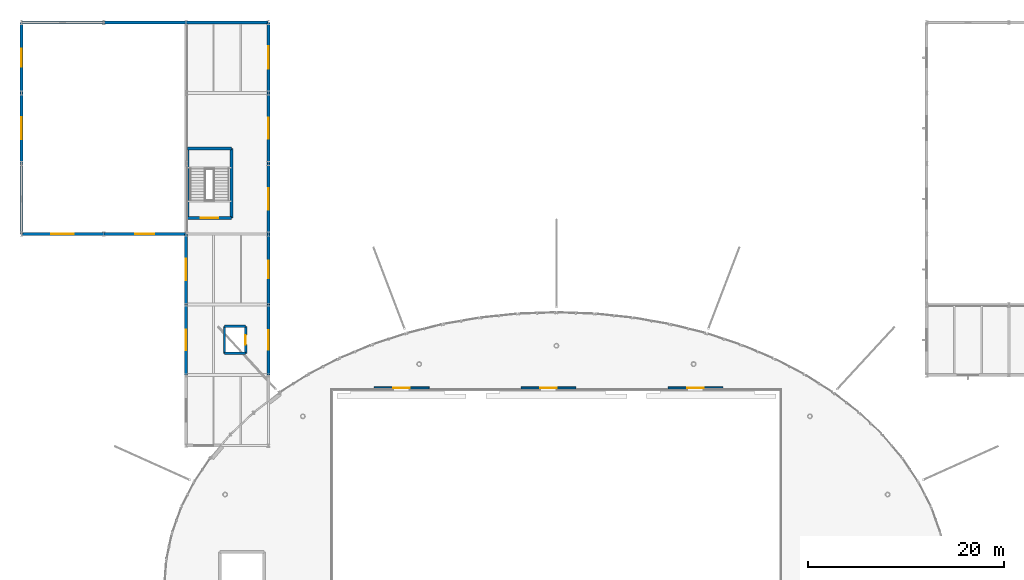
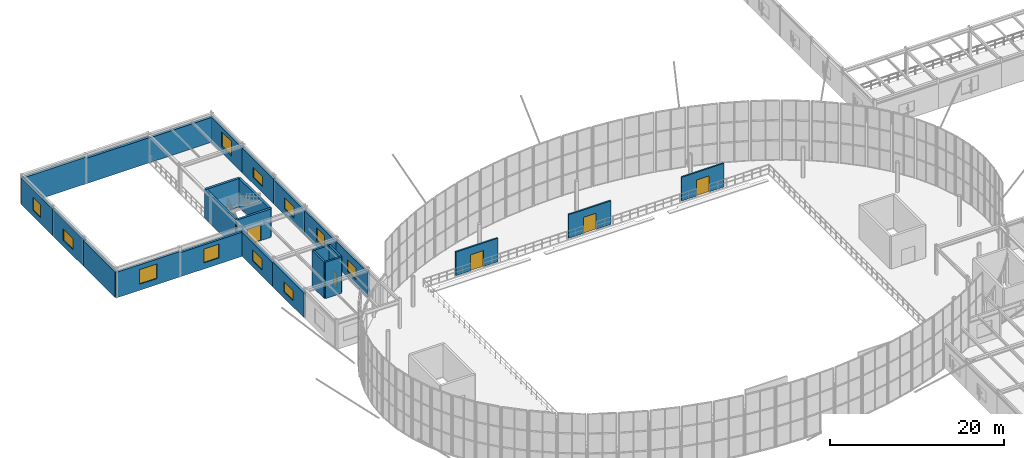
# One storey, part 65 of 109: 26 walls, 11 windows, 5 doors, 16 openings.
"""IFC4 building model written with IfcOpenShell, lengths in metres."""

from ifc_helpers import new_model, si_unit, derived_unit, direction, frame, frame_2d, origin, place, context, subcontext, project, spatial, rectangle, extrude, material, layer, layer_set, type_object, element, fill, save


model = new_model("IFC4")

# Units and contexts
model_context = context("Model", 3, precision=1e-05, world=origin(), true_north=direction((0.0, 1.0)))
body_context = subcontext(model_context, "Body", "Model", "MODEL_VIEW")
ifc_project = project(units=[si_unit("LENGTHUNIT", "METRE"), si_unit("AREAUNIT", "SQUARE_METRE"), si_unit("VOLUMEUNIT", "CUBIC_METRE"), si_unit("PLANEANGLEUNIT", "RADIAN"), si_unit("MASSUNIT", "GRAM", prefix="KILO"), derived_unit("THERMALTRANSMITTANCEUNIT", [(si_unit("MASSUNIT", "GRAM", prefix="KILO"), 1), (si_unit("TIMEUNIT", "SECOND"), -3), (si_unit("THERMODYNAMICTEMPERATUREUNIT", "KELVIN"), -1)])], contexts=[model_context])

# Site, building, storey
site_placement = place(None, origin())
site = spatial("IfcSite", under=ifc_project, at=site_placement, CompositionType="ELEMENT")
building_placement = place(site_placement, origin())
building = spatial("IfcBuilding", under=site, at=building_placement, Name="Kharveza Railside Sports Centre", CompositionType="ELEMENT")
storey_placement = place(building_placement, frame((0.0, 0.0, 4.5)))
storey = spatial("IfcBuildingStorey", under=building, at=storey_placement, Name="L01", CompositionType="ELEMENT", Elevation=4.5)

# Walls
ifc_material_1 = material(Name="Acoustic mineral-wool metal cladding panel")
ifc_layer_1 = layer(ifc_material_1, 0.340087890625, Name="Acoustic mineral-wool metal cladding panel")
ifc_layer_set_1 = layer_set([ifc_layer_1], Name="Acoustic mineral-wool metal cladding panel")
wall_type_1 = type_object("IfcWallType", Name="WL-AC340", PredefinedType="STANDARD", material=ifc_layer_set_1)
wall_1_placement = place(storey_placement, frame((25.199951171875, 108.0, 0.0), z_axis=(0.0, 0.0, 1.0), x_axis=(-1.0, 0.0, 0.0)))
element("IfcWall", 1, at=wall_1_placement, inside=storey, type_object=wall_type_1, Name="WL-EXT-L01-153", PredefinedType="STANDARD", context=body_context, shape_type="SweptSolid", body=[
    extrude(rectangle(XDim=8.39990234375, YDim=0.340087890625, at=frame_2d((4.199951171875, 0.0))), origin(), (0.0, 0.0, 1.0), 3.485107421875),
])
wall_2_placement = place(storey_placement, frame((16.800048828125, 108.0, 0.0), z_axis=(0.0, 0.0, 1.0), x_axis=(-1.0, 0.0, 0.0)))
element("IfcWall", 2, at=wall_2_placement, inside=storey, type_object=wall_type_1, Name="WL-EXT-L01-154", PredefinedType="STANDARD", context=body_context, shape_type="SweptSolid", body=[
    extrude(rectangle(XDim=8.400146484375, YDim=0.340087890625, at=frame_2d((4.2001953125, 0.0))), origin(), (0.0, 0.0, 1.0), 3.544921875),
])
wall_3_placement = place(storey_placement, frame((8.39990234375, 108.0, 0.0), z_axis=(0.0, 0.0, 1.0), x_axis=(-1.0, 0.0, 0.0)))
element("IfcWall", 3, at=wall_3_placement, inside=storey, type_object=wall_type_1, Name="WL-EXT-L01-155", PredefinedType="STANDARD", context=body_context, shape_type="SweptSolid", body=[
    extrude(rectangle(XDim=8.39990234375, YDim=0.340087890625, at=frame_2d((4.199951171875, 0.0))), origin(), (0.0, 0.0, 1.0), 3.7451171875),
])
ifc_material_2 = material(Name="Concrete C35/45", Category="concrete")
ifc_layer_2 = layer(ifc_material_2, 0.25, Name="Concrete C35/45")
ifc_layer_set_2 = layer_set([ifc_layer_2], Name="Concrete C35/45")
wall_type_2 = type_object("IfcWallType", Name="WL-CR250", PredefinedType="SHEAR", material=ifc_layer_set_2)
wall_4_placement = place(storey_placement, frame((20.72509765625, 74.22509765625, 0.0), z_axis=(0.0, 0.0, 1.0), x_axis=(1.0, 0.0, 0.0)))
element("IfcWall", 4, at=wall_4_placement, inside=storey, type_object=wall_type_2, Name="WL-LFSH-LF4-L01-S", PredefinedType="SHEAR", context=body_context, shape_type="SweptSolid", body=[
    extrude(rectangle(XDim=2.14990234375, YDim=0.25, at=frame_2d((1.074951171875, 0.0))), origin(), (0.0, 0.0, 1.0), 5.10009765625),
])

# Wall, opening, door
wall_5_placement = place(storey_placement, frame((22.875, 74.22509765625, 0.0), z_axis=(0.0, 0.0, 1.0), x_axis=(0.0, 1.0, 0.0)))
wall_5 = element("IfcWall", 5, at=wall_5_placement, inside=storey, type_object=wall_type_2, Name="WL-LFSH-LF4-L01-E", PredefinedType="SHEAR", context=body_context, shape_type="SweptSolid", body=[
    extrude(rectangle(XDim=2.75, YDim=0.25, at=frame_2d((1.375, 0.0))), origin(), (0.0, 0.0, 1.0), 5.10009765625),
])
opening_1_placement = place(wall_5_placement, frame((0.89990234375, 0.0, 0.0)))
opening_1 = element("IfcOpeningElement", 6, at=opening_1_placement, cuts=wall_5, Name="Opening D12", PredefinedType="OPENING", context=body_context, shape_type="SweptSolid", body=[
    extrude(rectangle(XDim=0.949951171875, YDim=2.10009765625, at=frame_2d((0.47509765625, 1.050048828125))), frame((0.0, 0.14990234375, 0.0), z_axis=(0.0, -1.0, 0.0), x_axis=(1.0, 0.0, 0.0)), (0.0, 0.0, 1.0), 0.2998046875),
])
ifc_material_3 = material(Name="Brushed stainless steel landing door", Category="steel")
door_type_1 = type_object("IfcDoorType", Name="DR-LF02", OperationType="NOTDEFINED", PredefinedType="DOOR", material=ifc_material_3)
door_1_placement = place(opening_1_placement, origin())
door_1 = element("IfcDoor", 7, at=door_1_placement, inside=storey, type_object=door_type_1, Name="DR-LD-LF4-L01", OperationType="SLIDING_TO_LEFT", OverallHeight=2.10009765625, OverallWidth=0.949951171875, PredefinedType="DOOR", context=body_context, shape_type="SweptSolid", body=[
    extrude(rectangle(XDim=0.949951171875, YDim=2.10009765625, at=frame_2d((0.47509765625, 1.050048828125))), frame((0.0, 0.02490234375, 0.0), z_axis=(0.0, -1.0, 0.0), x_axis=(1.0, 0.0, 0.0)), (0.0, 0.0, 1.0), 0.050048828125),
])
fill(opening_1, door_1)

# Walls
wall_6_placement = place(storey_placement, frame((22.875, 76.97509765625, 0.0), z_axis=(0.0, 0.0, 1.0), x_axis=(-1.0, 0.0, 0.0)))
element("IfcWall", 8, at=wall_6_placement, inside=storey, type_object=wall_type_2, Name="WL-LFSH-LF4-L01-N", PredefinedType="SHEAR", context=body_context, shape_type="SweptSolid", body=[
    extrude(rectangle(XDim=2.14990234375, YDim=0.25, at=frame_2d((1.074951171875, 0.0))), origin(), (0.0, 0.0, 1.0), 5.10009765625),
])
wall_7_placement = place(storey_placement, frame((20.72509765625, 76.97509765625, 0.0), z_axis=(0.0, 0.0, 1.0), x_axis=(0.0, -1.0, 0.0)))
element("IfcWall", 9, at=wall_7_placement, inside=storey, type_object=wall_type_2, Name="WL-LFSH-LF4-L01-W", PredefinedType="SHEAR", context=body_context, shape_type="SweptSolid", body=[
    extrude(rectangle(XDim=2.75, YDim=0.25, at=frame_2d((1.375, 0.0))), origin(), (0.0, 0.0, 1.0), 5.10009765625),
])

# Wall, opening, door
ifc_layer_3 = layer(ifc_material_2, 0.300048828125, Name="Concrete C35/45")
ifc_layer_set_3 = layer_set([ifc_layer_3], Name="Concrete C35/45")
wall_type_3 = type_object("IfcWallType", Name="WL-CR300", PredefinedType="SHEAR", material=ifc_layer_set_3)
wall_8_placement = place(storey_placement, frame((16.949951171875, 88.050048828125, 0.0), z_axis=(0.0, 0.0, 1.0), x_axis=(1.0, 0.0, 0.0)))
wall_8 = element("IfcWall", 10, at=wall_8_placement, inside=storey, type_object=wall_type_3, Name="WL-CORE-ST6-L01-S", PredefinedType="SHEAR", context=body_context, shape_type="SweptSolid", body=[
    extrude(rectangle(XDim=4.5, YDim=0.300048828125, at=frame_2d((2.25, 0.0))), origin(), (0.0, 0.0, 1.0), 4.0),
])
opening_2_placement = place(wall_8_placement, frame((1.35009765625, 0.0, 0.0)))
opening_2 = element("IfcOpeningElement", 11, at=opening_2_placement, cuts=wall_8, Name="Opening D08", PredefinedType="OPENING", context=body_context, shape_type="SweptSolid", body=[
    extrude(rectangle(XDim=1.800048828125, YDim=2.199951171875, at=frame_2d((0.89990234375, 1.10009765625))), frame((0.0, 0.1748046875, 0.0), z_axis=(0.0, -1.0, 0.0), x_axis=(1.0, 0.0, 0.0)), (0.0, 0.0, 1.0), 0.349853515625),
])
ifc_material_4 = material(Name="Fire-rated hardwood door leaf", Category="wood")
door_type_2 = type_object("IfcDoorType", Name="DR-ST01", OperationType="NOTDEFINED", PredefinedType="DOOR", material=ifc_material_4)
door_2_placement = place(opening_2_placement, frame((1.800048828125, 0.0, 0.0), z_axis=(0.0, 0.0, 1.0), x_axis=(-1.0, 0.0, 0.0)))
door_2 = element("IfcDoor", 12, at=door_2_placement, inside=storey, type_object=door_type_2, Name="DR-ST-ST6-L01", OperationType="DOUBLE_DOOR_SINGLE_SWING", OverallHeight=2.199951171875, OverallWidth=1.800048828125, PredefinedType="DOOR", context=body_context, shape_type="SweptSolid", body=[
    extrude(rectangle(XDim=1.800048828125, YDim=2.199951171875, at=frame_2d((0.89990234375, 1.10009765625))), frame((0.0, 0.02490234375, 0.0), z_axis=(0.0, -1.0, 0.0), x_axis=(1.0, 0.0, 0.0)), (0.0, 0.0, 1.0), 0.050048828125),
])
fill(opening_2, door_2)

# Walls
wall_9_placement = place(storey_placement, frame((21.449951171875, 88.050048828125, 0.0), z_axis=(0.0, 0.0, 1.0), x_axis=(0.0, 1.0, 0.0)))
element("IfcWall", 13, at=wall_9_placement, inside=storey, type_object=wall_type_3, Name="WL-CORE-ST6-L01-E", PredefinedType="SHEAR", context=body_context, shape_type="SweptSolid", body=[
    extrude(rectangle(XDim=7.099853515625, YDim=0.300048828125, at=frame_2d((3.5498046875, 0.0))), origin(), (0.0, 0.0, 1.0), 4.0),
])
wall_10_placement = place(storey_placement, frame((21.449951171875, 95.14990234375, 0.0), z_axis=(0.0, 0.0, 1.0), x_axis=(-1.0, 0.0, 0.0)))
element("IfcWall", 14, at=wall_10_placement, inside=storey, type_object=wall_type_3, Name="WL-CORE-ST6-L01-N", PredefinedType="SHEAR", context=body_context, shape_type="SweptSolid", body=[
    extrude(rectangle(XDim=4.5, YDim=0.300048828125, at=frame_2d((2.25, 0.0))), origin(), (0.0, 0.0, 1.0), 4.0),
])
wall_11_placement = place(storey_placement, frame((16.949951171875, 95.14990234375, 0.0), z_axis=(0.0, 0.0, 1.0), x_axis=(0.0, -1.0, 0.0)))
element("IfcWall", 15, at=wall_11_placement, inside=storey, type_object=wall_type_3, Name="WL-CORE-ST6-L01-W", PredefinedType="SHEAR", context=body_context, shape_type="SweptSolid", body=[
    extrude(rectangle(XDim=7.099853515625, YDim=0.300048828125, at=frame_2d((3.5498046875, 0.0))), origin(), (0.0, 0.0, 1.0), 4.0),
])

# Wall, opening, window
ifc_layer_4 = layer(ifc_material_1, 0.2900390625, Name="Acoustic mineral-wool metal cladding panel")
ifc_layer_set_4 = layer_set([ifc_layer_4], Name="Acoustic mineral-wool metal cladding panel")
wall_type_4 = type_object("IfcWallType", Name="WL-EX290", PredefinedType="STANDARD", material=ifc_layer_set_4)
wall_12_placement = place(storey_placement, frame((16.800048828125, 86.39990234375, 0.0), z_axis=(0.0, 0.0, 1.0), x_axis=(0.0, -1.0, 0.0)))
wall_12 = element("IfcWall", 16, at=wall_12_placement, inside=storey, type_object=wall_type_4, Name="WL-EXT-L01-143", PredefinedType="STANDARD", context=body_context, shape_type="SweptSolid", body=[
    extrude(rectangle(XDim=7.199951171875, YDim=0.2900390625, at=frame_2d((3.60009765625, 0.0))), origin(), (0.0, 0.0, 1.0), 3.385009765625),
])
opening_3_placement = place(wall_12_placement, frame((2.5, 0.0, 0.85009765625)))
opening_3 = element("IfcOpeningElement", 17, at=opening_3_placement, cuts=wall_12, Name="Opening WN22", PredefinedType="OPENING", context=body_context, shape_type="SweptSolid", body=[
    extrude(rectangle(XDim=2.199951171875, YDim=1.550048828125, at=frame_2d((1.10009765625, 0.77490234375))), frame((0.0, 0.169921875, 0.0), z_axis=(0.0, -1.0, 0.0), x_axis=(1.0, 0.0, 0.0)), (0.0, 0.0, 1.0), 0.33984375),
])
ifc_material_5 = material(Name="Low-E solar-control laminated glass", Category="glass")
window_type_1 = type_object("IfcWindowType", Name="WN-Z06", PartitioningType="SINGLE_PANEL", PredefinedType="WINDOW", material=ifc_material_5)
window_1_placement = place(opening_3_placement, origin())
window_1 = element("IfcWindow", 18, at=window_1_placement, inside=storey, type_object=window_type_1, Name="WN-EXT-L01-075", OverallHeight=1.550048828125, OverallWidth=2.199951171875, PartitioningType="SINGLE_PANEL", PredefinedType="WINDOW", context=body_context, shape_type="SweptSolid", body=[
    extrude(rectangle(XDim=2.199951171875, YDim=1.550048828125, at=frame_2d((1.10009765625, 0.77490234375))), frame((0.0, 0.030029296875, 0.0), z_axis=(0.0, -1.0, 0.0), x_axis=(1.0, 0.0, 0.0)), (0.0, 0.0, 1.0), 0.06005859375),
])
fill(opening_3, window_1)

wall_13_placement = place(storey_placement, frame((16.800048828125, 79.199951171875, 0.0), z_axis=(0.0, 0.0, 1.0), x_axis=(0.0, -1.0, 0.0)))
wall_13 = element("IfcWall", 19, at=wall_13_placement, inside=storey, type_object=wall_type_4, Name="WL-EXT-L01-144", PredefinedType="STANDARD", context=body_context, shape_type="SweptSolid", body=[
    extrude(rectangle(XDim=7.199951171875, YDim=0.2900390625, at=frame_2d((3.60009765625, 0.0))), origin(), (0.0, 0.0, 1.0), 3.485107421875),
])
opening_4_placement = place(wall_13_placement, frame((2.550048828125, 0.0, 0.85009765625)))
opening_4 = element("IfcOpeningElement", 20, at=opening_4_placement, cuts=wall_13, Name="Opening WN23", PredefinedType="OPENING", context=body_context, shape_type="SweptSolid", body=[
    extrude(rectangle(XDim=2.10009765625, YDim=1.449951171875, at=frame_2d((1.050048828125, 0.72509765625))), frame((0.0, 0.169921875, 0.0), z_axis=(0.0, -1.0, 0.0), x_axis=(1.0, 0.0, 0.0)), (0.0, 0.0, 1.0), 0.33984375),
])
window_type_2 = type_object("IfcWindowType", Name="WN-Z07", PartitioningType="SINGLE_PANEL", PredefinedType="WINDOW", material=ifc_material_5)
window_2_placement = place(opening_4_placement, origin())
window_2 = element("IfcWindow", 21, at=window_2_placement, inside=storey, type_object=window_type_2, Name="WN-EXT-L01-076", OverallHeight=1.449951171875, OverallWidth=2.10009765625, PartitioningType="SINGLE_PANEL", PredefinedType="WINDOW", context=body_context, shape_type="SweptSolid", body=[
    extrude(rectangle(XDim=2.10009765625, YDim=1.449951171875, at=frame_2d((1.050048828125, 0.72509765625))), frame((0.0, 0.030029296875, 0.0), z_axis=(0.0, -1.0, 0.0), x_axis=(1.0, 0.0, 0.0)), (0.0, 0.0, 1.0), 0.06005859375),
])
fill(opening_4, window_2)

wall_14_placement = place(storey_placement, frame((25.199951171875, 72.0, 0.0), z_axis=(0.0, 0.0, 1.0), x_axis=(0.0, 1.0, 0.0)))
wall_14 = element("IfcWall", 22, at=wall_14_placement, inside=storey, type_object=wall_type_4, Name="WL-EXT-L01-148", PredefinedType="STANDARD", context=body_context, shape_type="SweptSolid", body=[
    extrude(rectangle(XDim=7.199951171875, YDim=0.2900390625, at=frame_2d((3.60009765625, 0.0))), origin(), (0.0, 0.0, 1.0), 3.485107421875),
])
opening_5_placement = place(wall_14_placement, frame((2.60009765625, 0.0, 0.85009765625)))
opening_5 = element("IfcOpeningElement", 23, at=opening_5_placement, cuts=wall_14, Name="Opening WN15", PredefinedType="OPENING", context=body_context, shape_type="SweptSolid", body=[
    extrude(rectangle(XDim=2.0, YDim=1.60009765625, at=frame_2d((1.0, 0.800048828125))), frame((0.0, 0.169921875, 0.0), z_axis=(0.0, -1.0, 0.0), x_axis=(1.0, 0.0, 0.0)), (0.0, 0.0, 1.0), 0.33984375),
])
window_type_3 = type_object("IfcWindowType", Name="WN-F15", PartitioningType="SINGLE_PANEL", PredefinedType="WINDOW", material=ifc_material_5)
window_3_placement = place(opening_5_placement, origin())
window_3 = element("IfcWindow", 24, at=window_3_placement, inside=storey, type_object=window_type_3, Name="WN-EXT-L01-079", OverallHeight=1.60009765625, OverallWidth=2.0, PartitioningType="SINGLE_PANEL", PredefinedType="WINDOW", context=body_context, shape_type="SweptSolid", body=[
    extrude(rectangle(XDim=2.0, YDim=1.60009765625, at=frame_2d((1.0, 0.800048828125))), frame((0.0, 0.030029296875, 0.0), z_axis=(0.0, -1.0, 0.0), x_axis=(1.0, 0.0, 0.0)), (0.0, 0.0, 1.0), 0.06005859375),
])
fill(opening_5, window_3)

wall_15_placement = place(storey_placement, frame((25.199951171875, 79.199951171875, 0.0), z_axis=(0.0, 0.0, 1.0), x_axis=(0.0, 1.0, 0.0)))
wall_15 = element("IfcWall", 25, at=wall_15_placement, inside=storey, type_object=wall_type_4, Name="WL-EXT-L01-149", PredefinedType="STANDARD", context=body_context, shape_type="SweptSolid", body=[
    extrude(rectangle(XDim=7.199951171875, YDim=0.2900390625, at=frame_2d((3.60009765625, 0.0))), origin(), (0.0, 0.0, 1.0), 3.385009765625),
])
opening_6_placement = place(wall_15_placement, frame((2.699951171875, 0.0, 0.85009765625)))
opening_6 = element("IfcOpeningElement", 26, at=opening_6_placement, cuts=wall_15, Name="Opening WN05", PredefinedType="OPENING", context=body_context, shape_type="SweptSolid", body=[
    extrude(rectangle(XDim=1.800048828125, YDim=1.800048828125, at=frame_2d((0.89990234375, 0.89990234375))), frame((0.0, 0.169921875, 0.0), z_axis=(0.0, -1.0, 0.0), x_axis=(1.0, 0.0, 0.0)), (0.0, 0.0, 1.0), 0.33984375),
])
window_type_4 = type_object("IfcWindowType", Name="WN-F05", PartitioningType="SINGLE_PANEL", PredefinedType="WINDOW", material=ifc_material_5)
window_4_placement = place(opening_6_placement, origin())
window_4 = element("IfcWindow", 27, at=window_4_placement, inside=storey, type_object=window_type_4, Name="WN-EXT-L01-080", OverallHeight=1.800048828125, OverallWidth=1.800048828125, PartitioningType="SINGLE_PANEL", PredefinedType="WINDOW", context=body_context, shape_type="SweptSolid", body=[
    extrude(rectangle(XDim=1.800048828125, YDim=1.800048828125, at=frame_2d((0.89990234375, 0.89990234375))), frame((0.0, 0.030029296875, 0.0), z_axis=(0.0, -1.0, 0.0), x_axis=(1.0, 0.0, 0.0)), (0.0, 0.0, 1.0), 0.06005859375),
])
fill(opening_6, window_4)

wall_16_placement = place(storey_placement, frame((25.199951171875, 86.39990234375, 0.0), z_axis=(0.0, 0.0, 1.0), x_axis=(0.0, 1.0, 0.0)))
wall_16 = element("IfcWall", 28, at=wall_16_placement, inside=storey, type_object=wall_type_4, Name="WL-EXT-L01-150", PredefinedType="STANDARD", context=body_context, shape_type="SweptSolid", body=[
    extrude(rectangle(XDim=7.2001953125, YDim=0.2900390625, at=frame_2d((3.60009765625, 0.0))), origin(), (0.0, 0.0, 1.0), 3.385009765625),
])
opening_7_placement = place(wall_16_placement, frame((2.5, 0.0, 0.85009765625)))
opening_7 = element("IfcOpeningElement", 29, at=opening_7_placement, cuts=wall_16, Name="Opening WN22", PredefinedType="OPENING", context=body_context, shape_type="SweptSolid", body=[
    extrude(rectangle(XDim=2.199951171875, YDim=1.550048828125, at=frame_2d((1.10009765625, 0.77490234375))), frame((0.0, 0.169921875, 0.0), z_axis=(0.0, -1.0, 0.0), x_axis=(1.0, 0.0, 0.0)), (0.0, 0.0, 1.0), 0.33984375),
])
window_5_placement = place(opening_7_placement, origin())
window_5 = element("IfcWindow", 30, at=window_5_placement, inside=storey, type_object=window_type_1, Name="WN-EXT-L01-081", OverallHeight=1.550048828125, OverallWidth=2.199951171875, PartitioningType="SINGLE_PANEL", PredefinedType="WINDOW", context=body_context, shape_type="SweptSolid", body=[
    extrude(rectangle(XDim=2.199951171875, YDim=1.550048828125, at=frame_2d((1.10009765625, 0.77490234375))), frame((0.0, 0.030029296875, 0.0), z_axis=(0.0, -1.0, 0.0), x_axis=(1.0, 0.0, 0.0)), (0.0, 0.0, 1.0), 0.06005859375),
])
fill(opening_7, window_5)

wall_17_placement = place(storey_placement, frame((25.199951171875, 93.60009765625, 0.0), z_axis=(0.0, 0.0, 1.0), x_axis=(0.0, 1.0, 0.0)))
wall_17 = element("IfcWall", 31, at=wall_17_placement, inside=storey, type_object=wall_type_4, Name="WL-EXT-L01-151", PredefinedType="STANDARD", context=body_context, shape_type="SweptSolid", body=[
    extrude(rectangle(XDim=7.199951171875, YDim=0.2900390625, at=frame_2d((3.60009765625, 0.0))), origin(), (0.0, 0.0, 1.0), 3.485107421875),
])
opening_8_placement = place(wall_17_placement, frame((2.550048828125, 0.0, 0.85009765625)))
opening_8 = element("IfcOpeningElement", 32, at=opening_8_placement, cuts=wall_17, Name="Opening WN23", PredefinedType="OPENING", context=body_context, shape_type="SweptSolid", body=[
    extrude(rectangle(XDim=2.10009765625, YDim=1.449951171875, at=frame_2d((1.050048828125, 0.72509765625))), frame((0.0, 0.169921875, 0.0), z_axis=(0.0, -1.0, 0.0), x_axis=(1.0, 0.0, 0.0)), (0.0, 0.0, 1.0), 0.33984375),
])
window_6_placement = place(opening_8_placement, origin())
window_6 = element("IfcWindow", 33, at=window_6_placement, inside=storey, type_object=window_type_2, Name="WN-EXT-L01-082", OverallHeight=1.449951171875, OverallWidth=2.10009765625, PartitioningType="SINGLE_PANEL", PredefinedType="WINDOW", context=body_context, shape_type="SweptSolid", body=[
    extrude(rectangle(XDim=2.10009765625, YDim=1.449951171875, at=frame_2d((1.050048828125, 0.72509765625))), frame((0.0, 0.030029296875, 0.0), z_axis=(0.0, -1.0, 0.0), x_axis=(1.0, 0.0, 0.0)), (0.0, 0.0, 1.0), 0.06005859375),
])
fill(opening_8, window_6)

wall_18_placement = place(storey_placement, frame((25.199951171875, 100.800048828125, 0.0), z_axis=(0.0, 0.0, 1.0), x_axis=(0.0, 1.0, 0.0)))
wall_18 = element("IfcWall", 34, at=wall_18_placement, inside=storey, type_object=wall_type_4, Name="WL-EXT-L01-152", PredefinedType="STANDARD", context=body_context, shape_type="SweptSolid", body=[
    extrude(rectangle(XDim=7.199951171875, YDim=0.2900390625, at=frame_2d((3.60009765625, 0.0))), origin(), (0.0, 0.0, 1.0), 3.485107421875),
])
opening_9_placement = place(wall_18_placement, frame((2.449951171875, 0.0, 0.85009765625)))
opening_9 = element("IfcOpeningElement", 35, at=opening_9_placement, cuts=wall_18, Name="Opening WN29", PredefinedType="OPENING", context=body_context, shape_type="SweptSolid", body=[
    extrude(rectangle(XDim=2.300048828125, YDim=2.050048828125, at=frame_2d((1.14990234375, 1.02490234375))), frame((0.0, 0.169921875, 0.0), z_axis=(0.0, -1.0, 0.0), x_axis=(1.0, 0.0, 0.0)), (0.0, 0.0, 1.0), 0.33984375),
])
window_type_5 = type_object("IfcWindowType", Name="WN-Z13", PartitioningType="SINGLE_PANEL", PredefinedType="WINDOW", material=ifc_material_5)
window_7_placement = place(opening_9_placement, origin())
window_7 = element("IfcWindow", 36, at=window_7_placement, inside=storey, type_object=window_type_5, Name="WN-EXT-L01-083", OverallHeight=2.050048828125, OverallWidth=2.300048828125, PartitioningType="SINGLE_PANEL", PredefinedType="WINDOW", context=body_context, shape_type="SweptSolid", body=[
    extrude(rectangle(XDim=2.300048828125, YDim=2.050048828125, at=frame_2d((1.14990234375, 1.02490234375))), frame((0.0, 0.030029296875, 0.0), z_axis=(0.0, -1.0, 0.0), x_axis=(1.0, 0.0, 0.0)), (0.0, 0.0, 1.0), 0.06005859375),
])
fill(opening_9, window_7)

wall_19_placement = place(storey_placement, frame((0.0, 108.0, 0.0), z_axis=(0.0, 0.0, 1.0), x_axis=(0.0, -1.0, 0.0)))
wall_19 = element("IfcWall", 37, at=wall_19_placement, inside=storey, type_object=wall_type_4, Name="WL-EXT-L01-156", PredefinedType="STANDARD", context=body_context, shape_type="SweptSolid", body=[
    extrude(rectangle(XDim=7.199951171875, YDim=0.2900390625, at=frame_2d((3.60009765625, 0.0))), origin(), (0.0, 0.0, 1.0), 3.7451171875),
])
opening_10_placement = place(wall_19_placement, frame((2.699951171875, 0.0, 0.85009765625)))
opening_10 = element("IfcOpeningElement", 38, at=opening_10_placement, cuts=wall_19, Name="Opening WN05", PredefinedType="OPENING", context=body_context, shape_type="SweptSolid", body=[
    extrude(rectangle(XDim=1.800048828125, YDim=1.800048828125, at=frame_2d((0.89990234375, 0.89990234375))), frame((0.0, 0.169921875, 0.0), z_axis=(0.0, -1.0, 0.0), x_axis=(1.0, 0.0, 0.0)), (0.0, 0.0, 1.0), 0.33984375),
])
window_8_placement = place(opening_10_placement, origin())
window_8 = element("IfcWindow", 39, at=window_8_placement, inside=storey, type_object=window_type_4, Name="WN-EXT-L01-084", OverallHeight=1.800048828125, OverallWidth=1.800048828125, PartitioningType="SINGLE_PANEL", PredefinedType="WINDOW", context=body_context, shape_type="SweptSolid", body=[
    extrude(rectangle(XDim=1.800048828125, YDim=1.800048828125, at=frame_2d((0.89990234375, 0.89990234375))), frame((0.0, 0.030029296875, 0.0), z_axis=(0.0, -1.0, 0.0), x_axis=(1.0, 0.0, 0.0)), (0.0, 0.0, 1.0), 0.06005859375),
])
fill(opening_10, window_8)

wall_20_placement = place(storey_placement, frame((0.0, 100.800048828125, 0.0), z_axis=(0.0, 0.0, 1.0), x_axis=(0.0, -1.0, 0.0)))
wall_20 = element("IfcWall", 40, at=wall_20_placement, inside=storey, type_object=wall_type_4, Name="WL-EXT-L01-157", PredefinedType="STANDARD", context=body_context, shape_type="SweptSolid", body=[
    extrude(rectangle(XDim=7.199951171875, YDim=0.2900390625, at=frame_2d((3.60009765625, 0.0))), origin(), (0.0, 0.0, 1.0), 3.7451171875),
])
opening_11_placement = place(wall_20_placement, frame((2.5, 0.0, 0.85009765625)))
opening_11 = element("IfcOpeningElement", 41, at=opening_11_placement, cuts=wall_20, Name="Opening WN22", PredefinedType="OPENING", context=body_context, shape_type="SweptSolid", body=[
    extrude(rectangle(XDim=2.199951171875, YDim=1.550048828125, at=frame_2d((1.10009765625, 0.77490234375))), frame((0.0, 0.169921875, 0.0), z_axis=(0.0, -1.0, 0.0), x_axis=(1.0, 0.0, 0.0)), (0.0, 0.0, 1.0), 0.33984375),
])
window_9_placement = place(opening_11_placement, origin())
window_9 = element("IfcWindow", 42, at=window_9_placement, inside=storey, type_object=window_type_1, Name="WN-EXT-L01-085", OverallHeight=1.550048828125, OverallWidth=2.199951171875, PartitioningType="SINGLE_PANEL", PredefinedType="WINDOW", context=body_context, shape_type="SweptSolid", body=[
    extrude(rectangle(XDim=2.199951171875, YDim=1.550048828125, at=frame_2d((1.10009765625, 0.77490234375))), frame((0.0, 0.030029296875, 0.0), z_axis=(0.0, -1.0, 0.0), x_axis=(1.0, 0.0, 0.0)), (0.0, 0.0, 1.0), 0.06005859375),
])
fill(opening_11, window_9)

# Wall
wall_21_placement = place(storey_placement, frame((0.0, 93.60009765625, 0.0), z_axis=(0.0, 0.0, 1.0), x_axis=(0.0, -1.0, 0.0)))
element("IfcWall", 43, at=wall_21_placement, inside=storey, type_object=wall_type_4, Name="WL-EXT-L01-158", PredefinedType="STANDARD", context=body_context, shape_type="SweptSolid", body=[
    extrude(rectangle(XDim=7.2001953125, YDim=0.2900390625, at=frame_2d((3.60009765625, 0.0))), origin(), (0.0, 0.0, 1.0), 3.5849609375),
])

# Wall, opening, window
wall_22_placement = place(storey_placement, frame((0.0, 86.39990234375, 0.0), z_axis=(0.0, 0.0, 1.0), x_axis=(1.0, 0.0, 0.0)))
wall_22 = element("IfcWall", 44, at=wall_22_placement, inside=storey, type_object=wall_type_4, Name="WL-EXT-L01-159", PredefinedType="STANDARD", context=body_context, shape_type="SweptSolid", body=[
    extrude(rectangle(XDim=8.39990234375, YDim=0.2900390625, at=frame_2d((4.199951171875, 0.0))), origin(), (0.0, 0.0, 1.0), 3.5849609375),
])
opening_12_placement = place(wall_22_placement, frame((3.050048828125, 0.0, 0.85009765625)))
opening_12 = element("IfcOpeningElement", 45, at=opening_12_placement, cuts=wall_22, Name="Opening WN29", PredefinedType="OPENING", context=body_context, shape_type="SweptSolid", body=[
    extrude(rectangle(XDim=2.300048828125, YDim=2.050048828125, at=frame_2d((1.14990234375, 1.02490234375))), frame((0.0, 0.169921875, 0.0), z_axis=(0.0, -1.0, 0.0), x_axis=(1.0, 0.0, 0.0)), (0.0, 0.0, 1.0), 0.33984375),
])
window_10_placement = place(opening_12_placement, origin())
window_10 = element("IfcWindow", 46, at=window_10_placement, inside=storey, type_object=window_type_5, Name="WN-EXT-L01-086", OverallHeight=2.050048828125, OverallWidth=2.300048828125, PartitioningType="SINGLE_PANEL", PredefinedType="WINDOW", context=body_context, shape_type="SweptSolid", body=[
    extrude(rectangle(XDim=2.300048828125, YDim=2.050048828125, at=frame_2d((1.14990234375, 1.02490234375))), frame((0.0, 0.030029296875, 0.0), z_axis=(0.0, -1.0, 0.0), x_axis=(1.0, 0.0, 0.0)), (0.0, 0.0, 1.0), 0.06005859375),
])
fill(opening_12, window_10)

wall_23_placement = place(storey_placement, frame((8.39990234375, 86.39990234375, 0.0), z_axis=(0.0, 0.0, 1.0), x_axis=(1.0, 0.0, 0.0)))
wall_23 = element("IfcWall", 47, at=wall_23_placement, inside=storey, type_object=wall_type_4, Name="WL-EXT-L01-160", PredefinedType="STANDARD", context=body_context, shape_type="SweptSolid", body=[
    extrude(rectangle(XDim=8.400146484375, YDim=0.2900390625, at=frame_2d((4.2001953125, 0.0))), origin(), (0.0, 0.0, 1.0), 3.385009765625),
])
opening_13_placement = place(wall_23_placement, frame((3.22509765625, 0.0, 0.85009765625)))
opening_13 = element("IfcOpeningElement", 48, at=opening_13_placement, cuts=wall_23, Name="Opening WN30", PredefinedType="OPENING", context=body_context, shape_type="SweptSolid", body=[
    extrude(rectangle(XDim=1.949951171875, YDim=1.949951171875, at=frame_2d((0.97509765625, 0.97509765625))), frame((0.0, 0.169921875, 0.0), z_axis=(0.0, -1.0, 0.0), x_axis=(1.0, 0.0, 0.0)), (0.0, 0.0, 1.0), 0.33984375),
])
window_type_6 = type_object("IfcWindowType", Name="WN-Z14", PartitioningType="SINGLE_PANEL", PredefinedType="WINDOW", material=ifc_material_5)
window_11_placement = place(opening_13_placement, origin())
window_11 = element("IfcWindow", 49, at=window_11_placement, inside=storey, type_object=window_type_6, Name="WN-EXT-L01-087", OverallHeight=1.949951171875, OverallWidth=1.949951171875, PartitioningType="SINGLE_PANEL", PredefinedType="WINDOW", context=body_context, shape_type="SweptSolid", body=[
    extrude(rectangle(XDim=1.949951171875, YDim=1.949951171875, at=frame_2d((0.97509765625, 0.97509765625))), frame((0.0, 0.030029296875, 0.0), z_axis=(0.0, -1.0, 0.0), x_axis=(1.0, 0.0, 0.0)), (0.0, 0.0, 1.0), 0.06005859375),
])
fill(opening_13, window_11)

# Wall, opening, door
ifc_material_6 = material(Name="Gypsum board acoustic stud partition")
ifc_layer_5 = layer(ifc_material_6, 0.199951171875, Name="Gypsum board acoustic stud partition")
ifc_layer_set_5 = layer_set([ifc_layer_5], Name="Gypsum board acoustic stud partition")
wall_type_5 = type_object("IfcWallType", Name="WL-PT200", PredefinedType="PARTITIONING", material=ifc_layer_set_5)
wall_24_placement = place(storey_placement, frame((36.0, 70.699951171875, 0.0), z_axis=(0.0, 0.0, 1.0), x_axis=(1.0, 0.0, 0.0)))
wall_24 = element("IfcWall", 50, at=wall_24_placement, inside=storey, type_object=wall_type_5, Name="WL-VOM-L01-4", PredefinedType="PARTITIONING", context=body_context, shape_type="SweptSolid", body=[
    extrude(rectangle(XDim=5.60009765625, YDim=0.199951171875, at=frame_2d((2.800048828125, 0.0))), origin(), (0.0, 0.0, 1.0), 3.320068359375),
])
opening_14_placement = place(wall_24_placement, frame((1.949951171875, 0.0, 0.0)))
opening_14 = element("IfcOpeningElement", 51, at=opening_14_placement, cuts=wall_24, Name="Opening D14", PredefinedType="OPENING", context=body_context, shape_type="SweptSolid", body=[
    extrude(rectangle(XDim=1.699951171875, YDim=2.25, at=frame_2d((0.85009765625, 1.125))), frame((0.0, 0.125, 0.0), z_axis=(0.0, -1.0, 0.0), x_axis=(1.0, 0.0, 0.0)), (0.0, 0.0, 1.0), 0.249755859375),
])
door_type_3 = type_object("IfcDoorType", Name="DR-IN02", OperationType="NOTDEFINED", PredefinedType="DOOR", material=ifc_material_4)
door_3_placement = place(opening_14_placement, origin())
door_3 = element("IfcDoor", 52, at=door_3_placement, inside=storey, type_object=door_type_3, Name="Spectator Vomitory Door 4", OperationType="DOUBLE_DOOR_SINGLE_SWING", OverallHeight=2.25, OverallWidth=1.699951171875, PredefinedType="DOOR", context=body_context, shape_type="SweptSolid", body=[
    extrude(rectangle(XDim=1.699951171875, YDim=2.25, at=frame_2d((0.85009765625, 1.125))), frame((0.0, 0.02490234375, 0.0), z_axis=(0.0, -1.0, 0.0), x_axis=(1.0, 0.0, 0.0)), (0.0, 0.0, 1.0), 0.050048828125),
])
fill(opening_14, door_3)

wall_25_placement = place(storey_placement, frame((51.0, 70.699951171875, 0.0), z_axis=(0.0, 0.0, 1.0), x_axis=(1.0, 0.0, 0.0)))
wall_25 = element("IfcWall", 53, at=wall_25_placement, inside=storey, type_object=wall_type_5, Name="WL-VOM-L01-5", PredefinedType="PARTITIONING", context=body_context, shape_type="SweptSolid", body=[
    extrude(rectangle(XDim=5.60009765625, YDim=0.199951171875, at=frame_2d((2.800048828125, 0.0))), origin(), (0.0, 0.0, 1.0), 3.320068359375),
])
opening_15_placement = place(wall_25_placement, frame((1.949951171875, 0.0, 0.0)))
opening_15 = element("IfcOpeningElement", 54, at=opening_15_placement, cuts=wall_25, Name="Opening D14", PredefinedType="OPENING", context=body_context, shape_type="SweptSolid", body=[
    extrude(rectangle(XDim=1.699951171875, YDim=2.25, at=frame_2d((0.85009765625, 1.125))), frame((0.0, 0.125, 0.0), z_axis=(0.0, -1.0, 0.0), x_axis=(1.0, 0.0, 0.0)), (0.0, 0.0, 1.0), 0.249755859375),
])
door_4_placement = place(opening_15_placement, origin())
door_4 = element("IfcDoor", 55, at=door_4_placement, inside=storey, type_object=door_type_3, Name="Spectator Vomitory Door 5", OperationType="DOUBLE_DOOR_SINGLE_SWING", OverallHeight=2.25, OverallWidth=1.699951171875, PredefinedType="DOOR", context=body_context, shape_type="SweptSolid", body=[
    extrude(rectangle(XDim=1.699951171875, YDim=2.25, at=frame_2d((0.85009765625, 1.125))), frame((0.0, 0.02490234375, 0.0), z_axis=(0.0, -1.0, 0.0), x_axis=(1.0, 0.0, 0.0)), (0.0, 0.0, 1.0), 0.050048828125),
])
fill(opening_15, door_4)

wall_26_placement = place(storey_placement, frame((66.0, 70.699951171875, 0.0), z_axis=(0.0, 0.0, 1.0), x_axis=(1.0, 0.0, 0.0)))
wall_26 = element("IfcWall", 56, at=wall_26_placement, inside=storey, type_object=wall_type_5, Name="WL-VOM-L01-6", PredefinedType="PARTITIONING", context=body_context, shape_type="SweptSolid", body=[
    extrude(rectangle(XDim=5.60009765625, YDim=0.199951171875, at=frame_2d((2.800048828125, 0.0))), origin(), (0.0, 0.0, 1.0), 3.320068359375),
])
opening_16_placement = place(wall_26_placement, frame((1.949951171875, 0.0, 0.0)))
opening_16 = element("IfcOpeningElement", 57, at=opening_16_placement, cuts=wall_26, Name="Opening D14", PredefinedType="OPENING", context=body_context, shape_type="SweptSolid", body=[
    extrude(rectangle(XDim=1.699951171875, YDim=2.25, at=frame_2d((0.85009765625, 1.125))), frame((0.0, 0.125, 0.0), z_axis=(0.0, -1.0, 0.0), x_axis=(1.0, 0.0, 0.0)), (0.0, 0.0, 1.0), 0.249755859375),
])
door_5_placement = place(opening_16_placement, origin())
door_5 = element("IfcDoor", 58, at=door_5_placement, inside=storey, type_object=door_type_3, Name="Spectator Vomitory Door 6", OperationType="DOUBLE_DOOR_SINGLE_SWING", OverallHeight=2.25, OverallWidth=1.699951171875, PredefinedType="DOOR", context=body_context, shape_type="SweptSolid", body=[
    extrude(rectangle(XDim=1.699951171875, YDim=2.25, at=frame_2d((0.85009765625, 1.125))), frame((0.0, 0.02490234375, 0.0), z_axis=(0.0, -1.0, 0.0), x_axis=(1.0, 0.0, 0.0)), (0.0, 0.0, 1.0), 0.050048828125),
])
fill(opening_16, door_5)

save(model, "model.ifc")
